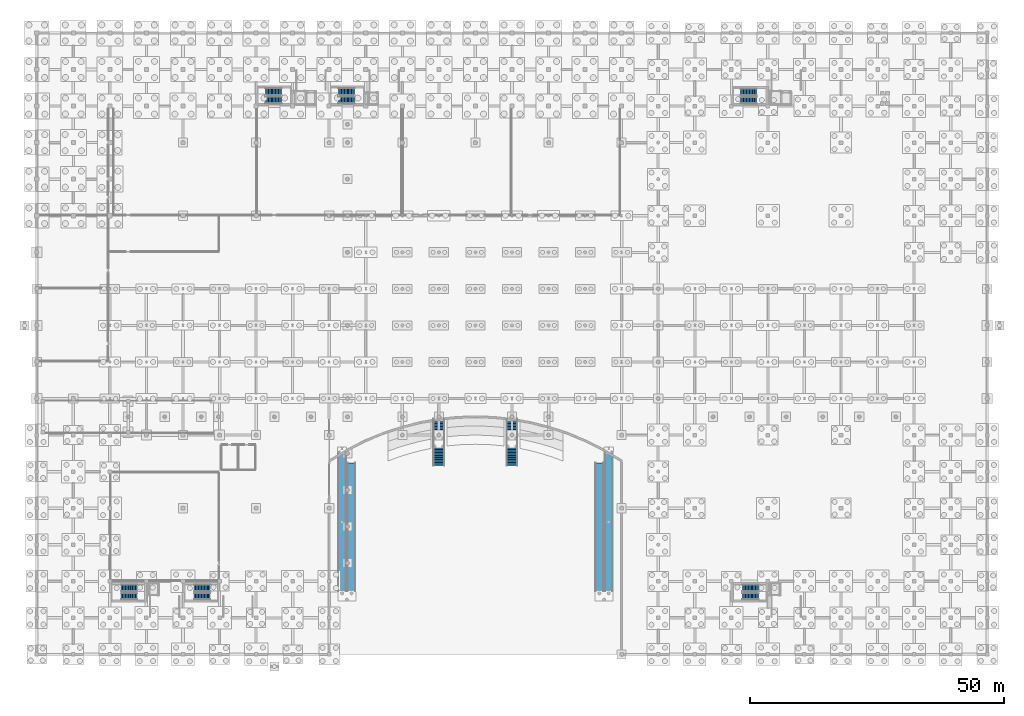
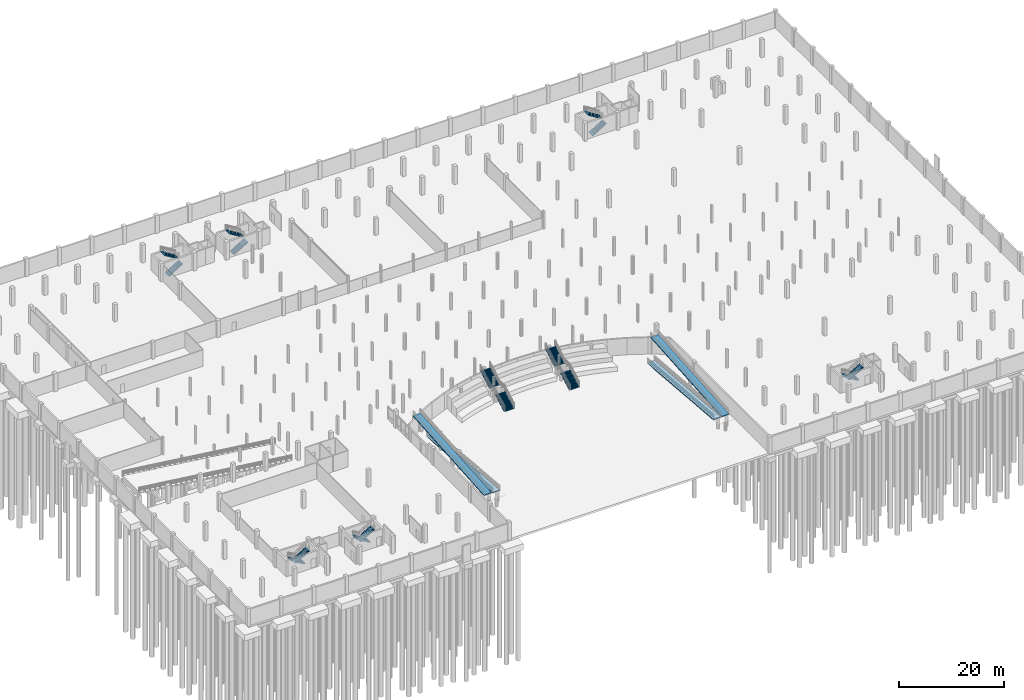
# One storey, part 47 of 56: 16 stair flights, 4 ramp flights, 10 elements without a shape of their own.
"""IFC4 building model written with IfcOpenShell, lengths in metres."""

from ifc_helpers import new_model, si_unit, direction, frame, origin, place, context, subcontext, project, spatial, polyline, outline, extrude, material, layer, layer_set, type_object, element, aggregate, save


model = new_model("IFC4")

# Units and contexts
model_context = context("Model", 3, precision=1e-05, world=origin(), true_north=direction((0.0, 1.0)))
body_context = subcontext(model_context, "Body", "Model", "MODEL_VIEW")
ifc_project = project(units=[si_unit("LENGTHUNIT", "METRE"), si_unit("AREAUNIT", "SQUARE_METRE"), si_unit("VOLUMEUNIT", "CUBIC_METRE"), si_unit("PLANEANGLEUNIT", "RADIAN"), si_unit("MASSUNIT", "GRAM", prefix="KILO")], contexts=[model_context])

# Site, building, storey
site_placement = place(None, origin())
site = spatial("IfcSite", under=ifc_project, at=site_placement, CompositionType="ELEMENT")
building_placement = place(site_placement, origin())
building = spatial("IfcBuilding", under=site, at=building_placement, Name="Suanplinth Sawtooth Commons", CompositionType="ELEMENT")
storey_placement = place(building_placement, frame((0.0, 0.0, -4.199951171875)))
storey = spatial("IfcBuildingStorey", under=building, at=storey_placement, Name="B1", CompositionType="ELEMENT", Elevation=-4.199951171875)

# Stair, stair flights
ifc_material_1 = material(Name="Concrete C40/50", Category="concrete")
stair_type_1 = type_object("IfcStairType", Name="ST-01", PredefinedType="USERDEFINED", material=ifc_material_1)
stair_1_placement = place(storey_placement, origin())
stair_1 = element("IfcStair", 1, at=stair_1_placement, inside=storey, type_object=stair_type_1, Name="B1 Exit Stair ST-N1", ObjectType="TWO_RETURN_STAIR", PredefinedType="USERDEFINED")
stair_flight_type_1 = type_object("IfcStairFlightType", Name="SF-01", PredefinedType="STRAIGHT", material=ifc_material_1)
stair_flight_1_placement = place(storey_placement, frame((45.050048828125, 109.175048828125, 0.0), z_axis=(0.0, 0.0, 1.0), x_axis=(1.0, 0.0, 0.0)))
stair_flight_1 = element("IfcStairFlight", 2, at=stair_flight_1_placement, type_object=stair_flight_type_1, Name="ST-01 flight 1", NumberOfRisers=12, NumberOfTreads=11, PredefinedType="STRAIGHT", RiserHeight=0.175, TreadLength=0.285, context=body_context, shape_type="SweptSolid", body=[
    extrude(outline(polyline([(0.0, 0.0), (0.0, 0.175048828125), (0.284912109375, 0.175048828125), (0.284912109375, 0.35009765625), (0.570068359375, 0.35009765625), (0.570068359375, 0.52490234375), (0.85498046875, 0.52490234375), (0.85498046875, 0.699951171875), (1.139892578125, 0.699951171875), (1.139892578125, 0.875), (1.425048828125, 0.875), (1.425048828125, 1.050048828125), (1.7099609375, 1.050048828125), (1.7099609375, 1.22509765625), (1.9951171875, 1.22509765625), (1.9951171875, 1.39990234375), (2.280029296875, 1.39990234375), (2.280029296875, 1.574951171875), (2.56494140625, 1.574951171875), (2.56494140625, 1.75), (2.85009765625, 1.75), (2.85009765625, 1.925048828125), (3.135009765625, 1.925048828125), (3.135009765625, 2.10009765625), (3.135009765625, 1.7373046875), (0.3056640625, 0.0), (0.0, 0.0)])), frame((0.0, 0.72509765625, 0.0), z_axis=(0.0, -1.0, 0.0), x_axis=(1.0, 0.0, 0.0)), (0.0, 0.0, 1.0), 1.449951171875),
])
stair_flight_2_placement = place(storey_placement, frame((48.18505859375, 110.824951171875, 2.099853515625), z_axis=(0.0, 0.0, 1.0), x_axis=(-1.0, 0.0, 0.0)))
stair_flight_2 = element("IfcStairFlight", 3, at=stair_flight_2_placement, type_object=stair_flight_type_1, Name="ST-01 flight 2", NumberOfRisers=12, NumberOfTreads=11, PredefinedType="STRAIGHT", RiserHeight=0.175, TreadLength=0.285, context=body_context, shape_type="SweptSolid", body=[
    extrude(outline(polyline([(0.0, 0.0), (0.0, 0.175048828125), (0.284912109375, 0.175048828125), (0.284912109375, 0.35009765625), (0.570068359375, 0.35009765625), (0.570068359375, 0.52490234375), (0.85498046875, 0.52490234375), (0.85498046875, 0.699951171875), (1.139892578125, 0.699951171875), (1.139892578125, 0.875), (1.425048828125, 0.875), (1.425048828125, 1.050048828125), (1.7099609375, 1.050048828125), (1.7099609375, 1.22509765625), (1.9951171875, 1.22509765625), (1.9951171875, 1.39990234375), (2.280029296875, 1.39990234375), (2.280029296875, 1.574951171875), (2.56494140625, 1.574951171875), (2.56494140625, 1.75), (2.85009765625, 1.75), (2.85009765625, 1.925048828125), (3.135009765625, 1.925048828125), (3.135009765625, 2.10009765625), (3.135009765625, 1.7373046875), (0.3056640625, 0.0), (0.0, 0.0)])), frame((0.0, 0.72509765625, 0.0), z_axis=(0.0, -1.0, 0.0), x_axis=(1.0, 0.0, 0.0)), (0.0, 0.0, 1.0), 1.449951171875),
])
aggregate(stair_1, [stair_flight_1, stair_flight_2])

stair_2_placement = place(storey_placement, origin())
stair_2 = element("IfcStair", 4, at=stair_2_placement, inside=storey, type_object=stair_type_1, Name="B1 Exit Stair ST-N2", ObjectType="TWO_RETURN_STAIR", PredefinedType="USERDEFINED")
stair_flight_3_placement = place(storey_placement, frame((59.449951171875, 109.175048828125, 0.0), z_axis=(0.0, 0.0, 1.0), x_axis=(1.0, 0.0, 0.0)))
stair_flight_3 = element("IfcStairFlight", 5, at=stair_flight_3_placement, type_object=stair_flight_type_1, Name="ST-01 flight 1", NumberOfRisers=12, NumberOfTreads=11, PredefinedType="STRAIGHT", RiserHeight=0.175, TreadLength=0.285, context=body_context, shape_type="SweptSolid", body=[
    extrude(outline(polyline([(0.0, 0.0), (0.0, 0.175048828125), (0.284912109375, 0.175048828125), (0.284912109375, 0.35009765625), (0.570068359375, 0.35009765625), (0.570068359375, 0.52490234375), (0.85498046875, 0.52490234375), (0.85498046875, 0.699951171875), (1.139892578125, 0.699951171875), (1.139892578125, 0.875), (1.425048828125, 0.875), (1.425048828125, 1.050048828125), (1.7099609375, 1.050048828125), (1.7099609375, 1.22509765625), (1.9951171875, 1.22509765625), (1.9951171875, 1.39990234375), (2.280029296875, 1.39990234375), (2.280029296875, 1.574951171875), (2.56494140625, 1.574951171875), (2.56494140625, 1.75), (2.85009765625, 1.75), (2.85009765625, 1.925048828125), (3.135009765625, 1.925048828125), (3.135009765625, 2.10009765625), (3.135009765625, 1.7373046875), (0.3056640625, 0.0), (0.0, 0.0)])), frame((0.0, 0.72509765625, 0.0), z_axis=(0.0, -1.0, 0.0), x_axis=(1.0, 0.0, 0.0)), (0.0, 0.0, 1.0), 1.449951171875),
])
stair_flight_4_placement = place(storey_placement, frame((62.5849609375, 110.824951171875, 2.099853515625), z_axis=(0.0, 0.0, 1.0), x_axis=(-1.0, 0.0, 0.0)))
stair_flight_4 = element("IfcStairFlight", 6, at=stair_flight_4_placement, type_object=stair_flight_type_1, Name="ST-01 flight 2", NumberOfRisers=12, NumberOfTreads=11, PredefinedType="STRAIGHT", RiserHeight=0.175, TreadLength=0.285, context=body_context, shape_type="SweptSolid", body=[
    extrude(outline(polyline([(0.0, 0.0), (0.0, 0.175048828125), (0.284912109375, 0.175048828125), (0.284912109375, 0.35009765625), (0.570068359375, 0.35009765625), (0.570068359375, 0.52490234375), (0.85498046875, 0.52490234375), (0.85498046875, 0.699951171875), (1.139892578125, 0.699951171875), (1.139892578125, 0.875), (1.425048828125, 0.875), (1.425048828125, 1.050048828125), (1.7099609375, 1.050048828125), (1.7099609375, 1.22509765625), (1.9951171875, 1.22509765625), (1.9951171875, 1.39990234375), (2.280029296875, 1.39990234375), (2.280029296875, 1.574951171875), (2.56494140625, 1.574951171875), (2.56494140625, 1.75), (2.85009765625, 1.75), (2.85009765625, 1.925048828125), (3.135009765625, 1.925048828125), (3.135009765625, 2.10009765625), (3.135009765625, 1.7373046875), (0.3056640625, 0.0), (0.0, 0.0)])), frame((0.0, 0.72509765625, 0.0), z_axis=(0.0, -1.0, 0.0), x_axis=(1.0, 0.0, 0.0)), (0.0, 0.0, 1.0), 1.449951171875),
])
aggregate(stair_2, [stair_flight_3, stair_flight_4])

stair_type_2 = type_object("IfcStairType", Name="ST-05", PredefinedType="USERDEFINED", material=ifc_material_1)
stair_3_placement = place(storey_placement, origin())
stair_3 = element("IfcStair", 7, at=stair_3_placement, inside=storey, type_object=stair_type_2, Name="B1 Exit Stair ST-E1", ObjectType="TWO_RETURN_STAIR", PredefinedType="USERDEFINED")
stair_flight_type_2 = type_object("IfcStairFlightType", Name="SF-05", PredefinedType="STRAIGHT", material=ifc_material_1)
stair_flight_5_placement = place(storey_placement, frame((138.64990234375, 109.14990234375, 0.0), z_axis=(0.0, 0.0, 1.0), x_axis=(1.0, 0.0, 0.0)))
stair_flight_5 = element("IfcStairFlight", 8, at=stair_flight_5_placement, type_object=stair_flight_type_2, Name="ST-05 flight 1", NumberOfRisers=12, NumberOfTreads=11, PredefinedType="STRAIGHT", RiserHeight=0.175, TreadLength=0.285, context=body_context, shape_type="SweptSolid", body=[
    extrude(outline(polyline([(0.0, 0.0), (0.0, 0.175048828125), (0.284912109375, 0.175048828125), (0.284912109375, 0.35009765625), (0.570068359375, 0.35009765625), (0.570068359375, 0.52490234375), (0.85498046875, 0.52490234375), (0.85498046875, 0.699951171875), (1.139892578125, 0.699951171875), (1.139892578125, 0.875), (1.425048828125, 0.875), (1.425048828125, 1.050048828125), (1.7099609375, 1.050048828125), (1.7099609375, 1.22509765625), (1.9951171875, 1.22509765625), (1.9951171875, 1.39990234375), (2.280029296875, 1.39990234375), (2.280029296875, 1.574951171875), (2.56494140625, 1.574951171875), (2.56494140625, 1.75), (2.85009765625, 1.75), (2.85009765625, 1.925048828125), (3.135009765625, 1.925048828125), (3.135009765625, 2.10009765625), (3.135009765625, 1.7373046875), (0.3056640625, 0.0), (0.0, 0.0)])), frame((0.0, 0.699951171875, 0.0), z_axis=(0.0, -1.0, 0.0), x_axis=(1.0, 0.0, 0.0)), (0.0, 0.0, 1.0), 1.39990234375),
])
stair_flight_6_placement = place(storey_placement, frame((141.784912109375, 110.75, 2.099853515625), z_axis=(0.0, 0.0, 1.0), x_axis=(-1.0, 0.0, 0.0)))
stair_flight_6 = element("IfcStairFlight", 9, at=stair_flight_6_placement, type_object=stair_flight_type_2, Name="ST-05 flight 2", NumberOfRisers=12, NumberOfTreads=11, PredefinedType="STRAIGHT", RiserHeight=0.175, TreadLength=0.285, context=body_context, shape_type="SweptSolid", body=[
    extrude(outline(polyline([(0.0, 0.0), (0.0, 0.175048828125), (0.284912109375, 0.175048828125), (0.284912109375, 0.35009765625), (0.570068359375, 0.35009765625), (0.570068359375, 0.52490234375), (0.85498046875, 0.52490234375), (0.85498046875, 0.699951171875), (1.139892578125, 0.699951171875), (1.139892578125, 0.875), (1.425048828125, 0.875), (1.425048828125, 1.050048828125), (1.7099609375, 1.050048828125), (1.7099609375, 1.22509765625), (1.9951171875, 1.22509765625), (1.9951171875, 1.39990234375), (2.280029296875, 1.39990234375), (2.280029296875, 1.574951171875), (2.56494140625, 1.574951171875), (2.56494140625, 1.75), (2.85009765625, 1.75), (2.85009765625, 1.925048828125), (3.135009765625, 1.925048828125), (3.135009765625, 2.10009765625), (3.135009765625, 1.7373046875), (0.3056640625, 0.0), (0.0, 0.0)])), frame((0.0, 0.699951171875, 0.0), z_axis=(0.0, -1.0, 0.0), x_axis=(1.0, 0.0, 0.0)), (0.0, 0.0, 1.0), 1.39990234375),
])
aggregate(stair_3, [stair_flight_5, stair_flight_6])

stair_4_placement = place(storey_placement, origin())
stair_4 = element("IfcStair", 10, at=stair_4_placement, inside=storey, type_object=stair_type_2, Name="B1 Exit Stair ST-S1", ObjectType="TWO_RETURN_STAIR", PredefinedType="USERDEFINED")
stair_flight_7_placement = place(storey_placement, frame((142.14990234375, 13.050048828125, 0.0), z_axis=(0.0, 0.0, 1.0), x_axis=(-1.0, 0.0, 0.0)))
stair_flight_7 = element("IfcStairFlight", 11, at=stair_flight_7_placement, type_object=stair_flight_type_2, Name="ST-05 flight 1", NumberOfRisers=12, NumberOfTreads=11, PredefinedType="STRAIGHT", RiserHeight=0.175, TreadLength=0.285, context=body_context, shape_type="SweptSolid", body=[
    extrude(outline(polyline([(0.0, 0.0), (0.0, 0.175048828125), (0.284912109375, 0.175048828125), (0.284912109375, 0.35009765625), (0.570068359375, 0.35009765625), (0.570068359375, 0.52490234375), (0.85498046875, 0.52490234375), (0.85498046875, 0.699951171875), (1.139892578125, 0.699951171875), (1.139892578125, 0.875), (1.425048828125, 0.875), (1.425048828125, 1.050048828125), (1.7099609375, 1.050048828125), (1.7099609375, 1.22509765625), (1.9951171875, 1.22509765625), (1.9951171875, 1.39990234375), (2.280029296875, 1.39990234375), (2.280029296875, 1.574951171875), (2.56494140625, 1.574951171875), (2.56494140625, 1.75), (2.85009765625, 1.75), (2.85009765625, 1.925048828125), (3.135009765625, 1.925048828125), (3.135009765625, 2.10009765625), (3.135009765625, 1.7373046875), (0.3056640625, 0.0), (0.0, 0.0)])), frame((0.0, 0.699951171875, 0.0), z_axis=(0.0, -1.0, 0.0), x_axis=(1.0, 0.0, 0.0)), (0.0, 0.0, 1.0), 1.39990234375),
])
stair_flight_8_placement = place(storey_placement, frame((139.014892578125, 11.449951171875, 2.099853515625), z_axis=(0.0, 0.0, 1.0), x_axis=(1.0, 0.0, 0.0)))
stair_flight_8 = element("IfcStairFlight", 12, at=stair_flight_8_placement, type_object=stair_flight_type_2, Name="ST-05 flight 2", NumberOfRisers=12, NumberOfTreads=11, PredefinedType="STRAIGHT", RiserHeight=0.175, TreadLength=0.285, context=body_context, shape_type="SweptSolid", body=[
    extrude(outline(polyline([(0.0, 0.0), (0.0, 0.175048828125), (0.284912109375, 0.175048828125), (0.284912109375, 0.35009765625), (0.570068359375, 0.35009765625), (0.570068359375, 0.52490234375), (0.85498046875, 0.52490234375), (0.85498046875, 0.699951171875), (1.139892578125, 0.699951171875), (1.139892578125, 0.875), (1.425048828125, 0.875), (1.425048828125, 1.050048828125), (1.7099609375, 1.050048828125), (1.7099609375, 1.22509765625), (1.9951171875, 1.22509765625), (1.9951171875, 1.39990234375), (2.280029296875, 1.39990234375), (2.280029296875, 1.574951171875), (2.56494140625, 1.574951171875), (2.56494140625, 1.75), (2.85009765625, 1.75), (2.85009765625, 1.925048828125), (3.135009765625, 1.925048828125), (3.135009765625, 2.10009765625), (3.135009765625, 1.7373046875), (0.3056640625, 0.0), (0.0, 0.0)])), frame((0.0, 0.699951171875, 0.0), z_axis=(0.0, -1.0, 0.0), x_axis=(1.0, 0.0, 0.0)), (0.0, 0.0, 1.0), 1.39990234375),
])
aggregate(stair_4, [stair_flight_7, stair_flight_8])

stair_5_placement = place(storey_placement, origin())
stair_5 = element("IfcStair", 13, at=stair_5_placement, inside=storey, type_object=stair_type_2, Name="B1 Exit Stair ST-W1", ObjectType="TWO_RETURN_STAIR", PredefinedType="USERDEFINED")
stair_flight_9_placement = place(storey_placement, frame((19.75, 13.050048828125, 0.0), z_axis=(0.0, 0.0, 1.0), x_axis=(-1.0, 0.0, 0.0)))
stair_flight_9 = element("IfcStairFlight", 14, at=stair_flight_9_placement, type_object=stair_flight_type_2, Name="ST-05 flight 1", NumberOfRisers=12, NumberOfTreads=11, PredefinedType="STRAIGHT", RiserHeight=0.175, TreadLength=0.285, context=body_context, shape_type="SweptSolid", body=[
    extrude(outline(polyline([(0.0, 0.0), (0.0, 0.175048828125), (0.284912109375, 0.175048828125), (0.284912109375, 0.35009765625), (0.570068359375, 0.35009765625), (0.570068359375, 0.52490234375), (0.85498046875, 0.52490234375), (0.85498046875, 0.699951171875), (1.139892578125, 0.699951171875), (1.139892578125, 0.875), (1.425048828125, 0.875), (1.425048828125, 1.050048828125), (1.7099609375, 1.050048828125), (1.7099609375, 1.22509765625), (1.9951171875, 1.22509765625), (1.9951171875, 1.39990234375), (2.280029296875, 1.39990234375), (2.280029296875, 1.574951171875), (2.56494140625, 1.574951171875), (2.56494140625, 1.75), (2.85009765625, 1.75), (2.85009765625, 1.925048828125), (3.135009765625, 1.925048828125), (3.135009765625, 2.10009765625), (3.135009765625, 1.7373046875), (0.3056640625, 0.0), (0.0, 0.0)])), frame((0.0, 0.699951171875, 0.0), z_axis=(0.0, -1.0, 0.0), x_axis=(1.0, 0.0, 0.0)), (0.0, 0.0, 1.0), 1.39990234375),
])
stair_flight_10_placement = place(storey_placement, frame((16.614990234375, 11.449951171875, 2.099853515625), z_axis=(0.0, 0.0, 1.0), x_axis=(1.0, 0.0, 0.0)))
stair_flight_10 = element("IfcStairFlight", 15, at=stair_flight_10_placement, type_object=stair_flight_type_2, Name="ST-05 flight 2", NumberOfRisers=12, NumberOfTreads=11, PredefinedType="STRAIGHT", RiserHeight=0.175, TreadLength=0.285, context=body_context, shape_type="SweptSolid", body=[
    extrude(outline(polyline([(0.0, 0.0), (0.0, 0.175048828125), (0.284912109375, 0.175048828125), (0.284912109375, 0.35009765625), (0.570068359375, 0.35009765625), (0.570068359375, 0.52490234375), (0.85498046875, 0.52490234375), (0.85498046875, 0.699951171875), (1.139892578125, 0.699951171875), (1.139892578125, 0.875), (1.425048828125, 0.875), (1.425048828125, 1.050048828125), (1.7099609375, 1.050048828125), (1.7099609375, 1.22509765625), (1.9951171875, 1.22509765625), (1.9951171875, 1.39990234375), (2.280029296875, 1.39990234375), (2.280029296875, 1.574951171875), (2.56494140625, 1.574951171875), (2.56494140625, 1.75), (2.85009765625, 1.75), (2.85009765625, 1.925048828125), (3.135009765625, 1.925048828125), (3.135009765625, 2.10009765625), (3.135009765625, 1.7373046875), (0.3056640625, 0.0), (0.0, 0.0)])), frame((0.0, 0.699951171875, 0.0), z_axis=(0.0, -1.0, 0.0), x_axis=(1.0, 0.0, 0.0)), (0.0, 0.0, 1.0), 1.39990234375),
])
aggregate(stair_5, [stair_flight_9, stair_flight_10])

stair_6_placement = place(storey_placement, origin())
stair_6 = element("IfcStair", 16, at=stair_6_placement, inside=storey, type_object=stair_type_2, Name="B1 Exit Stair ST-W2", ObjectType="TWO_RETURN_STAIR", PredefinedType="USERDEFINED")
stair_flight_11_placement = place(storey_placement, frame((34.14990234375, 13.050048828125, 0.0), z_axis=(0.0, 0.0, 1.0), x_axis=(-1.0, 0.0, 0.0)))
stair_flight_11 = element("IfcStairFlight", 17, at=stair_flight_11_placement, type_object=stair_flight_type_2, Name="ST-05 flight 1", NumberOfRisers=12, NumberOfTreads=11, PredefinedType="STRAIGHT", RiserHeight=0.175, TreadLength=0.285, context=body_context, shape_type="SweptSolid", body=[
    extrude(outline(polyline([(0.0, 0.0), (0.0, 0.175048828125), (0.284912109375, 0.175048828125), (0.284912109375, 0.35009765625), (0.570068359375, 0.35009765625), (0.570068359375, 0.52490234375), (0.85498046875, 0.52490234375), (0.85498046875, 0.699951171875), (1.139892578125, 0.699951171875), (1.139892578125, 0.875), (1.425048828125, 0.875), (1.425048828125, 1.050048828125), (1.7099609375, 1.050048828125), (1.7099609375, 1.22509765625), (1.9951171875, 1.22509765625), (1.9951171875, 1.39990234375), (2.280029296875, 1.39990234375), (2.280029296875, 1.574951171875), (2.56494140625, 1.574951171875), (2.56494140625, 1.75), (2.85009765625, 1.75), (2.85009765625, 1.925048828125), (3.135009765625, 1.925048828125), (3.135009765625, 2.10009765625), (3.135009765625, 1.7373046875), (0.3056640625, 0.0), (0.0, 0.0)])), frame((0.0, 0.699951171875, 0.0), z_axis=(0.0, -1.0, 0.0), x_axis=(1.0, 0.0, 0.0)), (0.0, 0.0, 1.0), 1.39990234375),
])
stair_flight_12_placement = place(storey_placement, frame((31.014892578125, 11.449951171875, 2.099853515625), z_axis=(0.0, 0.0, 1.0), x_axis=(1.0, 0.0, 0.0)))
stair_flight_12 = element("IfcStairFlight", 18, at=stair_flight_12_placement, type_object=stair_flight_type_2, Name="ST-05 flight 2", NumberOfRisers=12, NumberOfTreads=11, PredefinedType="STRAIGHT", RiserHeight=0.175, TreadLength=0.285, context=body_context, shape_type="SweptSolid", body=[
    extrude(outline(polyline([(0.0, 0.0), (0.0, 0.175048828125), (0.284912109375, 0.175048828125), (0.284912109375, 0.35009765625), (0.570068359375, 0.35009765625), (0.570068359375, 0.52490234375), (0.85498046875, 0.52490234375), (0.85498046875, 0.699951171875), (1.139892578125, 0.699951171875), (1.139892578125, 0.875), (1.425048828125, 0.875), (1.425048828125, 1.050048828125), (1.7099609375, 1.050048828125), (1.7099609375, 1.22509765625), (1.9951171875, 1.22509765625), (1.9951171875, 1.39990234375), (2.280029296875, 1.39990234375), (2.280029296875, 1.574951171875), (2.56494140625, 1.574951171875), (2.56494140625, 1.75), (2.85009765625, 1.75), (2.85009765625, 1.925048828125), (3.135009765625, 1.925048828125), (3.135009765625, 2.10009765625), (3.135009765625, 1.7373046875), (0.3056640625, 0.0), (0.0, 0.0)])), frame((0.0, 0.699951171875, 0.0), z_axis=(0.0, -1.0, 0.0), x_axis=(1.0, 0.0, 0.0)), (0.0, 0.0, 1.0), 1.39990234375),
])
aggregate(stair_6, [stair_flight_11, stair_flight_12])

stair_type_3 = type_object("IfcStairType", Name="ST-09", PredefinedType="STRAIGHT_RUN_STAIR", material=ifc_material_1)
stair_7_placement = place(storey_placement, origin())
stair_7 = element("IfcStair", 19, at=stair_7_placement, inside=storey, type_object=stair_type_3, Name="Sunken Metro Forecourt Amphitheatre Stair 1", PredefinedType="STRAIGHT_RUN_STAIR")
stair_flight_type_3 = type_object("IfcStairFlightType", Name="SF-09", PredefinedType="STRAIGHT", material=ifc_material_1)
stair_flight_13_placement = place(storey_placement, frame((79.199951171875, 37.189208984375, 0.0), z_axis=(0.0, 0.0, 1.0), x_axis=(0.0, 1.0, 0.0)))
stair_flight_13 = element("IfcStairFlight", 20, at=stair_flight_13_placement, type_object=stair_flight_type_3, Name="ST-09 flight 1", NumberOfRisers=13, NumberOfTreads=12, PredefinedType="STRAIGHT", RiserHeight=0.161538462, TreadLength=0.29, context=body_context, shape_type="SweptSolid", body=[
    extrude(outline(polyline([(0.0, 0.0), (0.0, 0.16162109375), (0.2900390625, 0.16162109375), (0.2900390625, 0.322998046875), (0.580078125, 0.322998046875), (0.580078125, 0.484619140625), (0.8701171875, 0.484619140625), (0.8701171875, 0.646240234375), (1.159912109375, 0.646240234375), (1.159912109375, 0.8076171875), (1.449951171875, 0.8076171875), (1.449951171875, 0.96923828125), (1.739990234375, 0.96923828125), (1.739990234375, 1.130859375), (2.030029296875, 1.130859375), (2.030029296875, 1.292236328125), (2.320068359375, 1.292236328125), (2.320068359375, 1.453857421875), (2.610107421875, 1.453857421875), (2.610107421875, 1.615478515625), (2.89990234375, 1.615478515625), (2.89990234375, 1.77685546875), (3.18994140625, 1.77685546875), (3.18994140625, 1.9384765625), (3.47998046875, 1.9384765625), (3.47998046875, 2.10009765625), (3.47998046875, 1.732421875), (0.369873046875, 0.0), (0.0, 0.0)])), frame((0.0, 1.10009765625, 0.0), z_axis=(0.0, -1.0, 0.0), x_axis=(1.0, 0.0, 0.0)), (0.0, 0.0, 1.0), 2.199951171875),
])
stair_flight_14_placement = place(storey_placement, frame((79.199951171875, 42.869140625, 2.099853515625), z_axis=(0.0, 0.0, 1.0), x_axis=(0.0, 1.0, 0.0)))
stair_flight_14 = element("IfcStairFlight", 21, at=stair_flight_14_placement, type_object=stair_flight_type_3, Name="ST-09 flight 2", NumberOfRisers=13, NumberOfTreads=12, PredefinedType="STRAIGHT", RiserHeight=0.161538462, TreadLength=0.29, context=body_context, shape_type="SweptSolid", body=[
    extrude(outline(polyline([(0.0, 0.0), (0.0, 0.16162109375), (0.2900390625, 0.16162109375), (0.2900390625, 0.322998046875), (0.580078125, 0.322998046875), (0.580078125, 0.484619140625), (0.8701171875, 0.484619140625), (0.8701171875, 0.646240234375), (1.159912109375, 0.646240234375), (1.159912109375, 0.8076171875), (1.449951171875, 0.8076171875), (1.449951171875, 0.96923828125), (1.739990234375, 0.96923828125), (1.739990234375, 1.130859375), (2.030029296875, 1.130859375), (2.030029296875, 1.292236328125), (2.320068359375, 1.292236328125), (2.320068359375, 1.453857421875), (2.610107421875, 1.453857421875), (2.610107421875, 1.615478515625), (2.89990234375, 1.615478515625), (2.89990234375, 1.77685546875), (3.18994140625, 1.77685546875), (3.18994140625, 1.9384765625), (3.47998046875, 1.9384765625), (3.47998046875, 2.10009765625), (3.47998046875, 1.732421875), (0.369873046875, 0.0), (0.0, 0.0)])), frame((0.0, 1.10009765625, 0.0), z_axis=(0.0, -1.0, 0.0), x_axis=(1.0, 0.0, 0.0)), (0.0, 0.0, 1.0), 2.199951171875),
])
aggregate(stair_7, [stair_flight_13, stair_flight_14])

stair_8_placement = place(storey_placement, origin())
stair_8 = element("IfcStair", 22, at=stair_8_placement, inside=storey, type_object=stair_type_3, Name="Sunken Metro Forecourt Amphitheatre Stair 2", PredefinedType="STRAIGHT_RUN_STAIR")
stair_flight_15_placement = place(storey_placement, frame((93.60009765625, 37.189208984375, 0.0), z_axis=(0.0, 0.0, 1.0), x_axis=(0.0, 1.0, 0.0)))
stair_flight_15 = element("IfcStairFlight", 23, at=stair_flight_15_placement, type_object=stair_flight_type_3, Name="ST-09 flight 1", NumberOfRisers=13, NumberOfTreads=12, PredefinedType="STRAIGHT", RiserHeight=0.161538462, TreadLength=0.29, context=body_context, shape_type="SweptSolid", body=[
    extrude(outline(polyline([(0.0, 0.0), (0.0, 0.16162109375), (0.2900390625, 0.16162109375), (0.2900390625, 0.322998046875), (0.580078125, 0.322998046875), (0.580078125, 0.484619140625), (0.8701171875, 0.484619140625), (0.8701171875, 0.646240234375), (1.159912109375, 0.646240234375), (1.159912109375, 0.8076171875), (1.449951171875, 0.8076171875), (1.449951171875, 0.96923828125), (1.739990234375, 0.96923828125), (1.739990234375, 1.130859375), (2.030029296875, 1.130859375), (2.030029296875, 1.292236328125), (2.320068359375, 1.292236328125), (2.320068359375, 1.453857421875), (2.610107421875, 1.453857421875), (2.610107421875, 1.615478515625), (2.89990234375, 1.615478515625), (2.89990234375, 1.77685546875), (3.18994140625, 1.77685546875), (3.18994140625, 1.9384765625), (3.47998046875, 1.9384765625), (3.47998046875, 2.10009765625), (3.47998046875, 1.732421875), (0.369873046875, 0.0), (0.0, 0.0)])), frame((0.0, 1.10009765625, 0.0), z_axis=(0.0, -1.0, 0.0), x_axis=(1.0, 0.0, 0.0)), (0.0, 0.0, 1.0), 2.199951171875),
])
stair_flight_16_placement = place(storey_placement, frame((93.60009765625, 42.869140625, 2.099853515625), z_axis=(0.0, 0.0, 1.0), x_axis=(0.0, 1.0, 0.0)))
stair_flight_16 = element("IfcStairFlight", 24, at=stair_flight_16_placement, type_object=stair_flight_type_3, Name="ST-09 flight 2", NumberOfRisers=13, NumberOfTreads=12, PredefinedType="STRAIGHT", RiserHeight=0.161538462, TreadLength=0.29, context=body_context, shape_type="SweptSolid", body=[
    extrude(outline(polyline([(0.0, 0.0), (0.0, 0.16162109375), (0.2900390625, 0.16162109375), (0.2900390625, 0.322998046875), (0.580078125, 0.322998046875), (0.580078125, 0.484619140625), (0.8701171875, 0.484619140625), (0.8701171875, 0.646240234375), (1.159912109375, 0.646240234375), (1.159912109375, 0.8076171875), (1.449951171875, 0.8076171875), (1.449951171875, 0.96923828125), (1.739990234375, 0.96923828125), (1.739990234375, 1.130859375), (2.030029296875, 1.130859375), (2.030029296875, 1.292236328125), (2.320068359375, 1.292236328125), (2.320068359375, 1.453857421875), (2.610107421875, 1.453857421875), (2.610107421875, 1.615478515625), (2.89990234375, 1.615478515625), (2.89990234375, 1.77685546875), (3.18994140625, 1.77685546875), (3.18994140625, 1.9384765625), (3.47998046875, 1.9384765625), (3.47998046875, 2.10009765625), (3.47998046875, 1.732421875), (0.369873046875, 0.0), (0.0, 0.0)])), frame((0.0, 1.10009765625, 0.0), z_axis=(0.0, -1.0, 0.0), x_axis=(1.0, 0.0, 0.0)), (0.0, 0.0, 1.0), 2.199951171875),
])
aggregate(stair_8, [stair_flight_15, stair_flight_16])

# Ramp, ramp flights
ifc_material_2 = material(Name="Concrete C35/45", Category="concrete")
ramp_type = type_object("IfcRampType", Name="RM-02", PredefinedType="STRAIGHT_RUN_RAMP", material=ifc_material_2)
ramp_1_placement = place(storey_placement, origin())
ramp_1 = element("IfcRamp", 25, at=ramp_1_placement, inside=storey, type_object=ramp_type, Name="Sunken Forecourt Accessible Ramp AR-01", PredefinedType="STRAIGHT_RUN_RAMP")
ifc_layer = layer(ifc_material_2, 0.199951171875, Name="Step-free 1:12 accessible ramp flight slab 200mm")
ifc_layer_set = layer_set([ifc_layer], Name="Concrete C35/45")
ramp_flight_type = type_object("IfcRampFlightType", Name="RF-02", PredefinedType="STRAIGHT", material=ifc_layer_set)
ramp_flight_1_placement = place(storey_placement, frame((62.0, 37.68798828125, 0.0), z_axis=(0.0, 0.0, 1.0), x_axis=(0.0, -1.0, 0.0)))
ramp_flight_1 = element("IfcRampFlight", 26, at=ramp_flight_1_placement, type_object=ramp_flight_type, Name="Accessible Ramp AR-01 Lower Flight", PredefinedType="STRAIGHT", context=body_context, shape_type="SweptSolid", body=[
    extrude(outline(polyline([(0.0, 0.0), (0.0, -0.199951171875), (25.199951171875, 1.89990234375), (25.199951171875, 2.099853515625), (0.0, 0.0)])), frame((0.0, 0.824951171875, 0.0), z_axis=(0.0, -1.0, 0.0), x_axis=(1.0, 0.0, 0.0)), (0.0, 0.0, 1.0), 1.64990234375),
])
ramp_flight_2_placement = place(storey_placement, frame((60.14990234375, 12.5380859375, 2.099853515625), z_axis=(0.0, 0.0, 1.0), x_axis=(0.0, 1.0, 0.0)))
ramp_flight_2 = element("IfcRampFlight", 27, at=ramp_flight_2_placement, type_object=ramp_flight_type, Name="Accessible Ramp AR-01 Upper Flight", PredefinedType="STRAIGHT", context=body_context, shape_type="SweptSolid", body=[
    extrude(outline(polyline([(0.0, 0.0), (0.0, -0.199951171875), (27.14990234375, 1.900146484375), (27.14990234375, 2.10009765625), (0.0, 0.0)])), frame((0.0, 0.824951171875, 0.0), z_axis=(0.0, -1.0, 0.0), x_axis=(1.0, 0.0, 0.0)), (0.0, 0.0, 1.0), 1.64990234375),
])
aggregate(ramp_1, [ramp_flight_1, ramp_flight_2])

ramp_2_placement = place(storey_placement, origin())
ramp_2 = element("IfcRamp", 28, at=ramp_2_placement, inside=storey, type_object=ramp_type, Name="Sunken Forecourt Accessible Ramp AR-02", PredefinedType="STRAIGHT_RUN_RAMP")
ramp_flight_3_placement = place(storey_placement, frame((110.800048828125, 37.68798828125, 0.0), z_axis=(0.0, 0.0, 1.0), x_axis=(0.0, -1.0, 0.0)))
ramp_flight_3 = element("IfcRampFlight", 29, at=ramp_flight_3_placement, type_object=ramp_flight_type, Name="Accessible Ramp AR-02 Lower Flight", PredefinedType="STRAIGHT", context=body_context, shape_type="SweptSolid", body=[
    extrude(outline(polyline([(0.0, 0.0), (0.0, -0.199951171875), (25.199951171875, 1.89990234375), (25.199951171875, 2.099853515625), (0.0, 0.0)])), frame((0.0, 0.824951171875, 0.0), z_axis=(0.0, -1.0, 0.0), x_axis=(1.0, 0.0, 0.0)), (0.0, 0.0, 1.0), 1.64990234375),
])
ramp_flight_4_placement = place(storey_placement, frame((112.64990234375, 12.5380859375, 2.099853515625), z_axis=(0.0, 0.0, 1.0), x_axis=(0.0, 1.0, 0.0)))
ramp_flight_4 = element("IfcRampFlight", 30, at=ramp_flight_4_placement, type_object=ramp_flight_type, Name="Accessible Ramp AR-02 Upper Flight", PredefinedType="STRAIGHT", context=body_context, shape_type="SweptSolid", body=[
    extrude(outline(polyline([(0.0, 0.0), (0.0, -0.199951171875), (27.14990234375, 1.900146484375), (27.14990234375, 2.10009765625), (0.0, 0.0)])), frame((0.0, 0.824951171875, 0.0), z_axis=(0.0, -1.0, 0.0), x_axis=(1.0, 0.0, 0.0)), (0.0, 0.0, 1.0), 1.64990234375),
])
aggregate(ramp_2, [ramp_flight_3, ramp_flight_4])

save(model, "model.ifc")
